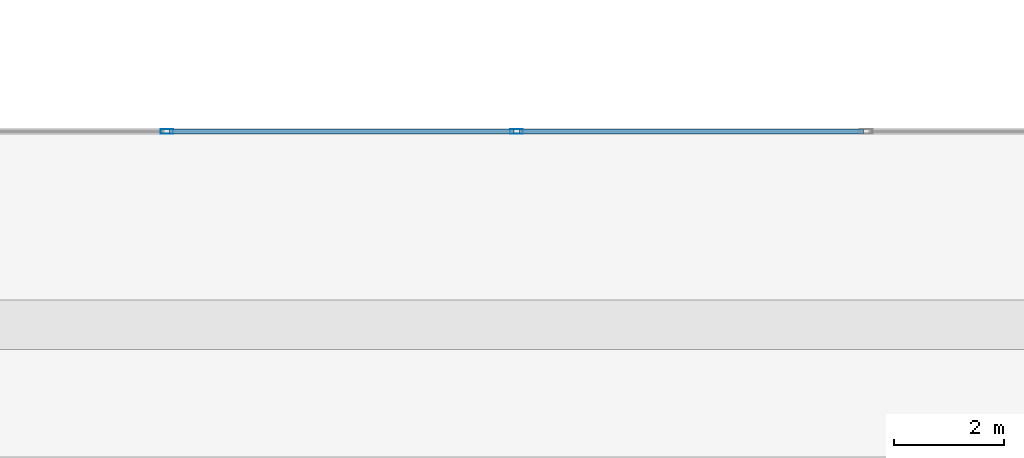
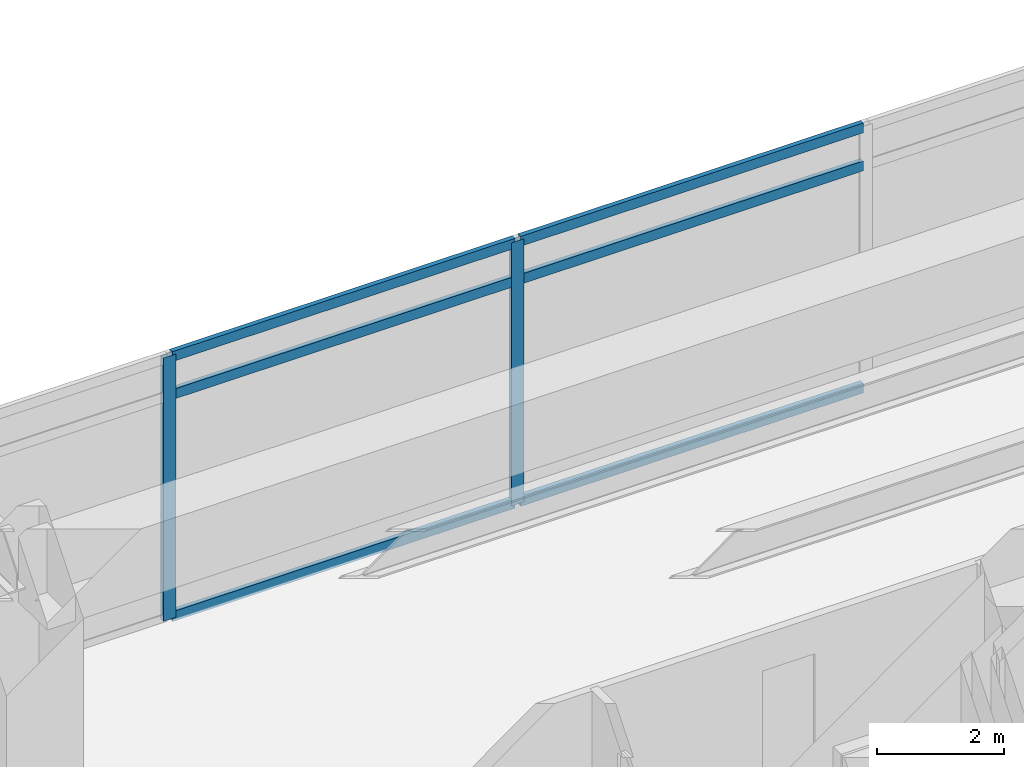
# One storey, part 16 of 24: 8 members, 1 element without a shape of its own.
"""IFC4 building model written with IfcOpenShell, lengths in metres."""

import ifcopenshell
import ifcopenshell.guid

model = None  # the IFC model being written
_history = None  # IfcOwnerHistory: only IFC2X3 demands one
_inside = {}  # id of a spatial element -> (the spatial element, [elements in it])
_under = {}  # id of a project, library or spatial element -> (it, [spatial elements below it])
_declared = {}  # id of a project -> (the project, [libraries it declares])
_typed = {}  # id of a type object -> (the type object, [elements of that type])
_made_of = {}  # id of a material, layer set ... -> (it, [elements and type objects made of it])


def new_model(schema):
    """Start an empty IFC model of exactly this schema.

    Asked for "IFC4X3", IfcOpenShell would pick the latest addendum, in which some entities
    have other attributes; the version numbers below select the first issue.
    IFC2X3 requires an IfcOwnerHistory on every rooted entity: one is made here for all.
    """
    global model, _history
    if schema == "IFC4X3":
        model = ifcopenshell.file(schema_version=(4, 3, 0, 0))
    else:
        model = ifcopenshell.file(schema=schema)
    _inside.clear()
    _under.clear()
    _declared.clear()
    _typed.clear()
    _made_of.clear()
    _history = None
    if model.schema == "IFC2X3":
        org = make("IfcOrganization", Name="unknown")
        user = make(
            "IfcPersonAndOrganization",
            ThePerson=make("IfcPerson", FamilyName="unknown"),
            TheOrganization=org,
        )
        app = make(
            "IfcApplication",
            ApplicationDeveloper=org,
            Version="unknown",
            ApplicationFullName="unknown",
            ApplicationIdentifier="unknown",
        )
        _history = make(
            "IfcOwnerHistory",
            OwningUser=user,
            OwningApplication=app,
            ChangeAction="ADDED",
            CreationDate=0,
        )
    return model


def make(cls, **values):
    """One entity of the class cls with the attributes given. An attribute that is None is left unset."""
    return model.create_entity(
        cls, **{name: value for name, value in values.items() if value is not None}
    )


def rooted(cls, **values):
    """An entity with a GlobalId (a new one), such as an element, a storey or a relation."""
    return make(cls, GlobalId=ifcopenshell.guid.new(), OwnerHistory=_history, **values)


def si_unit(unit_type, name, prefix=None):
    """IfcSIUnit, for example si_unit("LENGTHUNIT", "METRE", prefix="MILLI")."""
    return make("IfcSIUnit", UnitType=unit_type, Prefix=prefix, Name=name)


def assignment(units):
    """IfcUnitAssignment: the units of a project."""
    return None if units is None else make("IfcUnitAssignment", Units=units)


def point(xyz):
    """IfcCartesianPoint."""
    return None if xyz is None else make("IfcCartesianPoint", Coordinates=xyz)


def direction(xyz):
    """IfcDirection."""
    return None if xyz is None else make("IfcDirection", DirectionRatios=xyz)


def frame(location, z_axis=None, x_axis=None):
    """IfcAxis2Placement3D, a coordinate frame: its origin and axes. An axis left out is left unset."""
    return make(
        "IfcAxis2Placement3D",
        Location=point(location),
        Axis=direction(z_axis),
        RefDirection=direction(x_axis),
    )


def frame_2d(location, x_axis=None):
    """IfcAxis2Placement2D, a coordinate frame in the plane: its origin and x axis."""
    return make(
        "IfcAxis2Placement2D", Location=point(location), RefDirection=direction(x_axis)
    )


def origin():
    """The frame at (0, 0, 0) with its axes left unset."""
    return frame((0.0, 0.0, 0.0))


def origin_2d():
    """The frame at (0, 0) in the plane with its x axis left unset."""
    return frame_2d((0.0, 0.0))


def place(relative_to, where):
    """IfcLocalPlacement: puts the frame where relative to a parent placement (None: the world)."""
    return make(
        "IfcLocalPlacement", PlacementRelTo=relative_to, RelativePlacement=where
    )


def context(
    kind, dimensions, precision=None, world=None, true_north=None, identifier=None
):
    """IfcGeometricRepresentationContext, for example the 3D "Model" context."""
    return make(
        "IfcGeometricRepresentationContext",
        ContextIdentifier=identifier,
        ContextType=kind,
        CoordinateSpaceDimension=dimensions,
        Precision=precision,
        WorldCoordinateSystem=world,
        TrueNorth=true_north,
    )


def subcontext(parent, identifier, kind, view, scale=None):
    """IfcGeometricRepresentationSubContext, for example "Body" below "Model"."""
    return make(
        "IfcGeometricRepresentationSubContext",
        ContextIdentifier=identifier,
        ContextType=kind,
        ParentContext=parent,
        TargetScale=scale,
        TargetView=view,
    )


def project(units=None, contexts=None):
    """IfcProject with its units and contexts."""
    return rooted(
        "IfcProject",
        Name="project",
        RepresentationContexts=contexts,
        UnitsInContext=assignment(units),
    )


def spatial(cls, under=None, at=None, **own):
    """A site, building, storey or space (cls), placed at a placement, below another one or the project."""
    s = rooted(cls, ObjectPlacement=at, **own)
    if under is not None:
        _under.setdefault(under.id(), (under, []))[1].append(s)
    return s


def profile(cls, at=None, kind="AREA", **sizes):
    """A parametric profile (cls). Its sizes go by their IFC names, for example OverallWidth=200.0."""
    return make(cls, ProfileType=kind, Position=at, **sizes)


def hollow_rectangle(**sizes):
    """IfcRectangleHollowProfileDef."""
    return profile("IfcRectangleHollowProfileDef", **sizes)


def extrude(swept, where, along, depth):
    """IfcExtrudedAreaSolid: the profile swept, set in the frame where, extruded along a direction by depth."""
    return make(
        "IfcExtrudedAreaSolid",
        SweptArea=swept,
        Position=where,
        ExtrudedDirection=direction(along),
        Depth=depth,
    )


def shape(context_of_items, identifier, shape_type, items):
    """IfcShapeRepresentation: the items that make up one representation, for example the "Body"."""
    return make(
        "IfcShapeRepresentation",
        ContextOfItems=context_of_items,
        RepresentationIdentifier=identifier,
        RepresentationType=shape_type,
        Items=items,
    )


def material(Name=None, Category=None):
    """IfcMaterial."""
    return make("IfcMaterial", Name=Name, Category=Category)


def material_profile(
    of_material, cross_section, Name=None, Category=None, Priority=None
):
    """IfcMaterialProfile: a cross section and its material."""
    return make(
        "IfcMaterialProfile",
        Name=Name,
        Material=of_material,
        Profile=cross_section,
        Priority=Priority,
        Category=Category,
    )


def profile_set(profiles, Name=None, composite=None):
    """IfcMaterialProfileSet."""
    return make(
        "IfcMaterialProfileSet",
        Name=Name,
        MaterialProfiles=profiles,
        CompositeProfile=composite,
    )


def made_of(thing, what):
    """Note that an element or type object is made of a material, layer set ...; save() writes the relation."""
    if what is not None:
        _made_of.setdefault(what.id(), (what, []))[1].append(thing)
    return thing


def type_object(cls, material=None, **own):
    """A type object (cls), such as IfcWallType, which elements share."""
    return made_of(rooted(cls, **own), material)


def element(
    cls,
    number,
    at=None,
    inside=None,
    cuts=None,
    type_object=None,
    material=None,
    context=None,
    identifier="Body",
    shape_type=None,
    held_by="IfcProductDefinitionShape",
    body=None,
    shapes=None,
    **own,
):
    """One element of the class cls, such as IfcWall. Its Tag is "e" and its number.

    at: its placement. inside: the storey or other place that contains it. cuts: it is an
    opening in that element (IfcRelVoidsElement). A single representation is given by context,
    identifier, shape_type and body (its items); several are given by shapes. held_by: the class
    of the entity that holds the representations. save() writes the other relations.
    """
    e = rooted(cls, Tag="e%d" % number, ObjectPlacement=at, **own)
    if body is not None:
        shapes = [shape(context, identifier, shape_type, body)]
    if shapes is not None:
        e.Representation = make(held_by, Representations=shapes)
    if inside is not None:
        _inside.setdefault(inside.id(), (inside, []))[1].append(e)
    if cuts is not None:
        rooted(
            "IfcRelVoidsElement", RelatingBuildingElement=cuts, RelatedOpeningElement=e
        )
    if type_object is not None:
        _typed.setdefault(type_object.id(), (type_object, []))[1].append(e)
    return made_of(e, material)


def aggregate(whole, parts):
    """IfcRelAggregates: a whole, such as a stair, and the parts it consists of."""
    return rooted("IfcRelAggregates", RelatingObject=whole, RelatedObjects=parts)


def save(model, path):
    """Write the relations noted so far, then the file.

    IfcRelAggregates (storeys below a building ...), IfcRelContainedInSpatialStructure (elements
    in a storey), IfcRelDefinesByType, IfcRelAssociatesMaterial and IfcRelDeclares: one each for
    every whole, place, type object, material and project.
    """
    for whole, parts in _under.values():
        aggregate(whole, parts)
    for where, things in _inside.values():
        rooted(
            "IfcRelContainedInSpatialStructure",
            RelatedElements=things,
            RelatingStructure=where,
        )
    for kind, things in _typed.values():
        rooted("IfcRelDefinesByType", RelatedObjects=things, RelatingType=kind)
    for what, things in _made_of.values():
        rooted("IfcRelAssociatesMaterial", RelatedObjects=things, RelatingMaterial=what)
    for by, libraries in _declared.values():
        rooted("IfcRelDeclares", RelatingContext=by, RelatedDefinitions=libraries)
    model.write(path)


model = new_model("IFC4")

# Units and contexts
model_context = context("Model", 3, precision=1e-05, world=origin(), true_north=direction((0.0, 1.0)))
body_context = subcontext(model_context, "Body", "Model", "MODEL_VIEW")
ifc_project = project(units=[si_unit("LENGTHUNIT", "METRE"), si_unit("AREAUNIT", "SQUARE_METRE"), si_unit("VOLUMEUNIT", "CUBIC_METRE"), si_unit("PLANEANGLEUNIT", "RADIAN"), si_unit("MASSUNIT", "GRAM", prefix="KILO")], contexts=[model_context])

# Site, building, storey
site_placement = place(None, origin())
site = spatial("IfcSite", under=ifc_project, at=site_placement, CompositionType="ELEMENT")
building_placement = place(site_placement, origin())
building = spatial("IfcBuilding", under=site, at=building_placement, Name="Kovane Verandah Tower", CompositionType="ELEMENT")
storey_placement = place(building_placement, frame((0.0, 0.0, 194.800048828125)))
storey = spatial("IfcBuildingStorey", under=building, at=storey_placement, Name="L45", CompositionType="ELEMENT", Elevation=194.800048828125)

# Curtain wall, members
ifc_material_1 = material(Name="Champagne Anodised Aluminium Frame with Low-E Clear Laminated Glass", Category="aluminium")
curtain_wall_type = type_object("IfcCurtainWallType", Name="CW-SYS-04-WAIST", PredefinedType="NOTDEFINED", material=ifc_material_1)
curtain_wall_placement = place(storey_placement, origin())
curtain_wall = element("IfcCurtainWall", 1, at=curtain_wall_placement, inside=storey, type_object=curtain_wall_type, Name="L45 N Unitised Curtain Wall", PredefinedType="NOTDEFINED")
ifc_material_2 = material(Name="Champagne Anodised Aluminium 6063-T6", Category="aluminium")
ifc_material_profile_1 = material_profile(ifc_material_2, hollow_rectangle(XDim=0.0849609375, YDim=0.22998046875, WallThickness=0.00390625, at=origin_2d()), Name="AL85x230x4")
ifc_profile_set_1 = profile_set([ifc_material_profile_1], Name="Champagne Anodised Aluminium 6063-T6")
member_type_1 = type_object("IfcMemberType", Name="CW-MUL-85x230", PredefinedType="MULLION", material=ifc_profile_set_1)
member_1_placement = place(storey_placement, frame((40.0, 47.699951171875, 0.02001953125), z_axis=(0.0, 0.0, 1.0), x_axis=(0.0, 1.0, 0.0)))
member_1 = element("IfcMember", 2, at=member_1_placement, type_object=member_type_1, Name="L45 N Unitised Curtain Wall Mullion 4", PredefinedType="MULLION", context=body_context, shape_type="SweptSolid", body=[
    extrude(hollow_rectangle(XDim=0.0849609375, YDim=0.22998046875, WallThickness=0.00390625, at=origin_2d()), origin(), (0.0, 0.0, 1.0), 5.059814453125),
])
member_2_placement = place(storey_placement, frame((33.666748046875, 47.699951171875, 0.02001953125), z_axis=(0.0, 0.0, 1.0), x_axis=(0.0, 1.0, 0.0)))
member_2 = element("IfcMember", 3, at=member_2_placement, type_object=member_type_1, Name="L45 N Unitised Curtain Wall Mullion 5", PredefinedType="MULLION", context=body_context, shape_type="SweptSolid", body=[
    extrude(hollow_rectangle(XDim=0.0849609375, YDim=0.22998046875, WallThickness=0.00390625, at=origin_2d()), origin(), (0.0, 0.0, 1.0), 5.059814453125),
])
ifc_material_profile_2 = material_profile(ifc_material_2, hollow_rectangle(XDim=0.0849609375, YDim=0.18994140625, WallThickness=0.00390625, at=origin_2d()), Name="AL85x190x4")
ifc_profile_set_2 = profile_set([ifc_material_profile_2], Name="Champagne Anodised Aluminium 6063-T6")
member_type_2 = type_object("IfcMemberType", Name="CW-TRN-85x190", PredefinedType="USERDEFINED", material=ifc_profile_set_2)
member_3_placement = place(storey_placement, frame((46.283203125, 47.699951171875, 0.050048828125), z_axis=(-1.0, 0.0, 0.0), x_axis=(0.0, -1.0, 0.0)))
member_3 = element("IfcMember", 4, at=member_3_placement, type_object=member_type_2, Name="L45 N Unitised Curtain Wall Transom TB Bay 3", ObjectType="TRANSOM", PredefinedType="USERDEFINED", context=body_context, shape_type="SweptSolid", body=[
    extrude(hollow_rectangle(XDim=0.0849609375, YDim=0.18994140625, WallThickness=0.00390625, at=origin_2d()), origin(), (0.0, 0.0, 1.0), 6.233154296875),
])
member_4_placement = place(storey_placement, frame((46.283203125, 47.699951171875, 4.320068359375), z_axis=(-1.0, 0.0, 0.0), x_axis=(0.0, -1.0, 0.0)))
member_4 = element("IfcMember", 5, at=member_4_placement, type_object=member_type_2, Name="L45 N Unitised Curtain Wall Transom TM Bay 3", ObjectType="TRANSOM", PredefinedType="USERDEFINED", context=body_context, shape_type="SweptSolid", body=[
    extrude(hollow_rectangle(XDim=0.0849609375, YDim=0.18994140625, WallThickness=0.00390625, at=origin_2d()), origin(), (0.0, 0.0, 1.0), 6.233154296875),
])
member_5_placement = place(storey_placement, frame((46.283203125, 47.699951171875, 5.050048828125), z_axis=(-1.0, 0.0, 0.0), x_axis=(0.0, -1.0, 0.0)))
member_5 = element("IfcMember", 6, at=member_5_placement, type_object=member_type_2, Name="L45 N Unitised Curtain Wall Transom TT Bay 3", ObjectType="TRANSOM", PredefinedType="USERDEFINED", context=body_context, shape_type="SweptSolid", body=[
    extrude(hollow_rectangle(XDim=0.0849609375, YDim=0.18994140625, WallThickness=0.00390625, at=origin_2d()), origin(), (0.0, 0.0, 1.0), 6.233154296875),
])
member_6_placement = place(storey_placement, frame((39.949951171875, 47.699951171875, 0.050048828125), z_axis=(-1.0, 0.0, 0.0), x_axis=(0.0, -1.0, 0.0)))
member_6 = element("IfcMember", 7, at=member_6_placement, type_object=member_type_2, Name="L45 N Unitised Curtain Wall Transom TB Bay 4", ObjectType="TRANSOM", PredefinedType="USERDEFINED", context=body_context, shape_type="SweptSolid", body=[
    extrude(hollow_rectangle(XDim=0.0849609375, YDim=0.18994140625, WallThickness=0.00390625, at=origin_2d()), origin(), (0.0, 0.0, 1.0), 6.233154296875),
])
member_7_placement = place(storey_placement, frame((39.949951171875, 47.699951171875, 4.320068359375), z_axis=(-1.0, 0.0, 0.0), x_axis=(0.0, -1.0, 0.0)))
member_7 = element("IfcMember", 8, at=member_7_placement, type_object=member_type_2, Name="L45 N Unitised Curtain Wall Transom TM Bay 4", ObjectType="TRANSOM", PredefinedType="USERDEFINED", context=body_context, shape_type="SweptSolid", body=[
    extrude(hollow_rectangle(XDim=0.0849609375, YDim=0.18994140625, WallThickness=0.00390625, at=origin_2d()), origin(), (0.0, 0.0, 1.0), 6.233154296875),
])
member_8_placement = place(storey_placement, frame((39.949951171875, 47.699951171875, 5.050048828125), z_axis=(-1.0, 0.0, 0.0), x_axis=(0.0, -1.0, 0.0)))
member_8 = element("IfcMember", 9, at=member_8_placement, type_object=member_type_2, Name="L45 N Unitised Curtain Wall Transom TT Bay 4", ObjectType="TRANSOM", PredefinedType="USERDEFINED", context=body_context, shape_type="SweptSolid", body=[
    extrude(hollow_rectangle(XDim=0.0849609375, YDim=0.18994140625, WallThickness=0.00390625, at=origin_2d()), origin(), (0.0, 0.0, 1.0), 6.233154296875),
])
aggregate(curtain_wall, [member_1, member_2, member_3, member_4, member_5, member_6, member_7, member_8])

save(model, "model.ifc")
